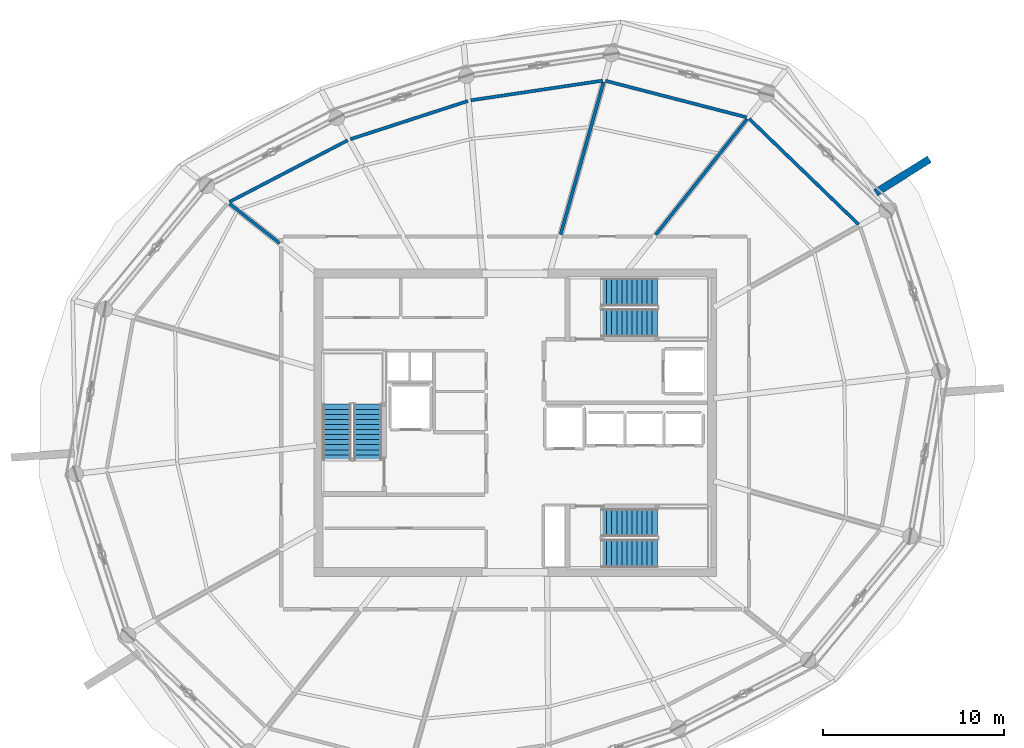
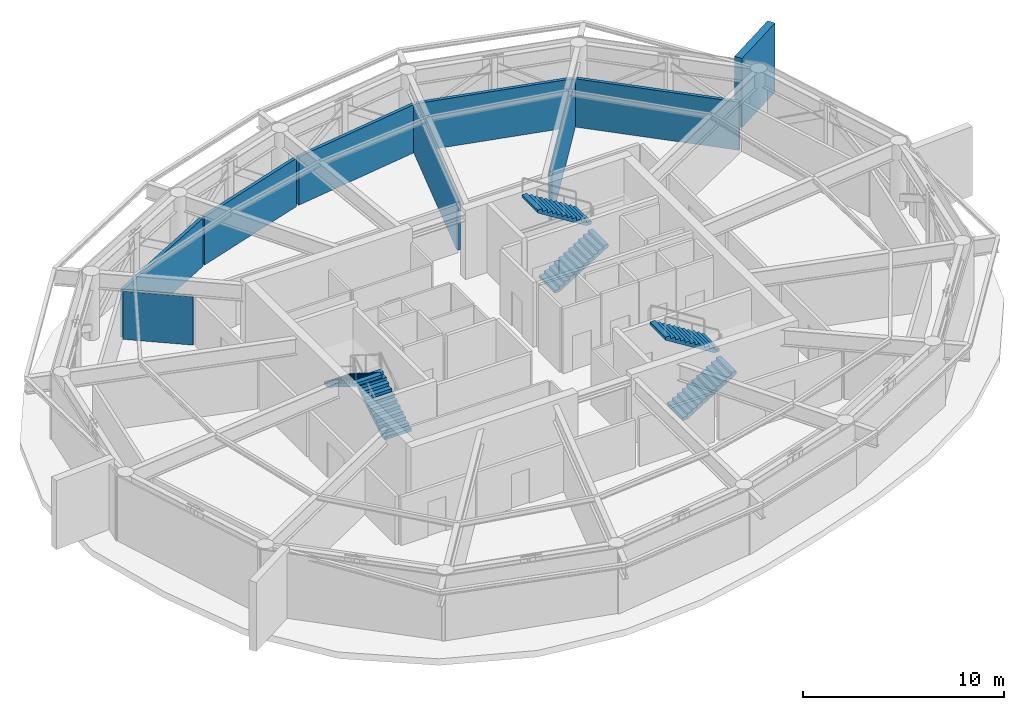
# One storey, part 13 of 14: 9 walls, 6 stair flights, 3 elements without a shape of their own.
"""IFC4 building model written with IfcOpenShell, lengths in metres."""

from ifc_helpers import new_model, si_unit, direction, frame, frame_2d, origin, place, context, subcontext, project, spatial, polyline, rectangle, outline, extrude, material, layer, layer_set, type_object, element, aggregate, save


model = new_model("IFC4")

# Units and contexts
model_context = context("Model", 3, precision=1e-05, world=origin(), true_north=direction((0.0, 1.0)))
body_context = subcontext(model_context, "Body", "Model", "MODEL_VIEW")
ifc_project = project(units=[si_unit("LENGTHUNIT", "METRE"), si_unit("AREAUNIT", "SQUARE_METRE"), si_unit("VOLUMEUNIT", "CUBIC_METRE"), si_unit("PLANEANGLEUNIT", "RADIAN"), si_unit("MASSUNIT", "GRAM", prefix="KILO")], contexts=[model_context])

# Site, building, storey
site_placement = place(None, origin())
site = spatial("IfcSite", under=ifc_project, at=site_placement, CompositionType="ELEMENT")
building_placement = place(site_placement, origin())
building = spatial("IfcBuilding", under=site, at=building_placement, Name="Kazma Halo Residences", CompositionType="ELEMENT")
storey_placement = place(building_placement, frame((0.0, 0.0, 343.10009765625)))
storey = spatial("IfcBuildingStorey", under=building, at=storey_placement, Name="L86", CompositionType="ELEMENT", Elevation=343.10009765625)

# Walls
ifc_material_1 = material(Name="Pale Concrete C60/75", Category="concrete")
ifc_layer_1 = layer(ifc_material_1, 0.419921875)
ifc_layer_set_1 = layer_set([ifc_layer_1], Name="Pale Concrete C60/75")
wall_type_1 = type_object("IfcWallType", Name="WL-BLADE-420", PredefinedType="SOLIDWALL", material=ifc_layer_set_1)
wall_1_placement = place(storey_placement, frame((68.3525390625, 54.7177734375, 0.0), z_axis=(0.0, 0.0, 1.0), x_axis=(0.848053161125, 0.529911158502, 0.0)))
element("IfcWall", 1, at=wall_1_placement, inside=storey, type_object=wall_type_1, Name="L86 pale concrete structural blade fin wall BW-01", PredefinedType="SOLIDWALL", context=body_context, shape_type="SweptSolid", body=[
    extrude(rectangle(XDim=3.5, YDim=0.419921875, at=frame_2d((1.75, 0.0))), origin(), (0.0, 0.0, 1.0), 4.199951171875),
])
ifc_material_2 = material(Name="Acoustic Twin-Stud Gypsum")
ifc_layer_2 = layer(ifc_material_2, 0.179931640625)
ifc_layer_set_2 = layer_set([ifc_layer_2], Name="Acoustic Twin-Stud Gypsum")
wall_type_2 = type_object("IfcWallType", Name="WL-DEM-180", PredefinedType="PARTITIONING", material=ifc_layer_set_2)
wall_2_placement = place(storey_placement, frame((67.41650390625, 52.961669921875, 0.0), z_axis=(0.0, 0.0, 1.0), x_axis=(-0.719358516059, 0.694638989241, 0.0)))
element("IfcWall", 2, at=wall_2_placement, inside=storey, type_object=wall_type_2, Name="L86 refuge acoustic perimeter wall 00", PredefinedType="PARTITIONING", context=body_context, shape_type="SweptSolid", body=[
    extrude(rectangle(XDim=8.424560546875, YDim=0.179931640625, at=frame_2d((4.21240234375, 0.0))), origin(), (0.0, 0.0, 1.0), 2.932861328125),
])
wall_3_placement = place(storey_placement, frame((61.221435546875, 58.889404296875, 0.0), z_axis=(0.0, 0.0, 1.0), x_axis=(-0.96812020229, 0.250486075298, 0.0)))
element("IfcWall", 3, at=wall_3_placement, inside=storey, type_object=wall_type_2, Name="L86 refuge acoustic perimeter wall 01", PredefinedType="PARTITIONING", context=body_context, shape_type="SweptSolid", body=[
    extrude(rectangle(XDim=8.0625, YDim=0.179931640625, at=frame_2d((4.03125, 0.0))), origin(), (0.0, 0.0, 1.0), 2.932861328125),
])
wall_4_placement = place(storey_placement, frame((53.259521484375, 60.9169921875, 0.0), z_axis=(0.0, 0.0, 1.0), x_axis=(-0.989035992024, -0.147674664315, 0.0)))
element("IfcWall", 4, at=wall_4_placement, inside=storey, type_object=wall_type_2, Name="L86 refuge acoustic perimeter wall 02", PredefinedType="PARTITIONING", context=body_context, shape_type="SweptSolid", body=[
    extrude(rectangle(XDim=7.3701171875, YDim=0.179931640625, at=frame_2d((3.68505859375, 0.0))), origin(), (0.0, 0.0, 1.0), 2.932861328125),
])
wall_5_placement = place(storey_placement, frame((45.815185546875, 59.7919921875, 0.0), z_axis=(0.0, 0.0, 1.0), x_axis=(-0.95105793387, -0.309012631495, 0.0)))
element("IfcWall", 5, at=wall_5_placement, inside=storey, type_object=wall_type_2, Name="L86 refuge acoustic perimeter wall 03", PredefinedType="PARTITIONING", context=body_context, shape_type="SweptSolid", body=[
    extrude(rectangle(XDim=6.84033203125, YDim=0.179931640625, at=frame_2d((3.420166015625, 0.0))), origin(), (0.0, 0.0, 1.0), 2.932861328125),
])
wall_6_placement = place(storey_placement, frame((39.16259765625, 57.61669921875, 0.0), z_axis=(0.0, 0.0, 1.0), x_axis=(-0.886951970108, -0.461861670548, 0.0)))
element("IfcWall", 6, at=wall_6_placement, inside=storey, type_object=wall_type_2, Name="L86 refuge acoustic perimeter wall 04", PredefinedType="PARTITIONING", context=body_context, shape_type="SweptSolid", body=[
    extrude(rectangle(XDim=7.369873046875, YDim=0.179931640625, at=frame_2d((3.68505859375, 0.0))), origin(), (0.0, 0.0, 1.0), 2.932861328125),
])
wall_7_placement = place(storey_placement, frame((50.934814453125, 52.406005859375, 0.0), z_axis=(0.0, 0.0, 1.0), x_axis=(0.271427049977, 0.962459015512, 0.0)))
element("IfcWall", 7, at=wall_7_placement, inside=storey, type_object=wall_type_2, Name="L86 radial partition wall 02", PredefinedType="PARTITIONING", context=body_context, shape_type="SweptSolid", body=[
    extrude(rectangle(XDim=8.75537109375, YDim=0.179931640625, at=frame_2d((4.377685546875, 0.0))), origin(), (0.0, 0.0, 1.0), 2.932861328125),
])
wall_8_placement = place(storey_placement, frame((35.41357421875, 51.92236328125, 0.0), z_axis=(0.0, 0.0, 1.0), x_axis=(-0.78533621982, 0.619069480622, 0.0)))
element("IfcWall", 8, at=wall_8_placement, inside=storey, type_object=wall_type_2, Name="L86 radial partition wall 05", PredefinedType="PARTITIONING", context=body_context, shape_type="SweptSolid", body=[
    extrude(rectangle(XDim=3.540283203125, YDim=0.179931640625, at=frame_2d((1.77001953125, 0.0))), origin(), (0.0, 0.0, 1.0), 2.932861328125),
])
wall_9_placement = place(storey_placement, frame((56.18798828125, 52.386474609375, 0.0), z_axis=(0.0, 0.0, 1.0), x_axis=(0.619086016157, 0.785323184809, 0.0)))
element("IfcWall", 9, at=wall_9_placement, inside=storey, type_object=wall_type_2, Name="L86 radial partition wall 01", PredefinedType="PARTITIONING", context=body_context, shape_type="SweptSolid", body=[
    extrude(rectangle(XDim=8.1552734375, YDim=0.179931640625, at=frame_2d((4.07763671875, 0.0))), origin(), (0.0, 0.0, 1.0), 2.932861328125),
])

# Stair, stair flights
ifc_material_3 = material(Name="Concrete C50/60", Category="concrete")
stair_type = type_object("IfcStairType", Name="STR-CRWN", PredefinedType="HALF_TURN_STAIR", material=ifc_material_3)
stair_1_placement = place(storey_placement, origin())
stair_1 = element("IfcStair", 10, at=stair_1_placement, inside=storey, type_object=stair_type, Name="L86 Core exit stair ST-01", PredefinedType="HALF_TURN_STAIR")
stair_flight_type = type_object("IfcStairFlightType", Name="STR-CRWN-FLT", PredefinedType="STRAIGHT", material=ifc_material_3)
stair_flight_1_placement = place(storey_placement, frame((40.27490234375, 39.949951171875, 0.0), z_axis=(0.0, 0.0, 1.0), x_axis=(0.0, 1.0, 0.0)))
stair_flight_1 = element("IfcStairFlight", 11, at=stair_flight_1_placement, type_object=stair_flight_type, Name="ST-01 flight 1", NumberOfRisers=12, NumberOfTreads=11, PredefinedType="STRAIGHT", RiserHeight=0.175, TreadLength=0.28, context=body_context, shape_type="SweptSolid", body=[
    extrude(outline(polyline([(0.0, 0.0), (0.0, 0.175048828125), (0.280029296875, 0.175048828125), (0.280029296875, 0.35009765625), (0.56005859375, 0.35009765625), (0.56005859375, 0.52490234375), (0.840087890625, 0.52490234375), (0.840087890625, 0.699951171875), (1.1201171875, 0.699951171875), (1.1201171875, 0.875), (1.39990234375, 0.875), (1.39990234375, 1.050048828125), (1.679931640625, 1.050048828125), (1.679931640625, 1.22509765625), (1.9599609375, 1.22509765625), (1.9599609375, 1.39990234375), (2.239990234375, 1.39990234375), (2.239990234375, 1.574951171875), (2.52001953125, 1.574951171875), (2.52001953125, 1.75), (2.800048828125, 1.75), (2.800048828125, 1.925048828125), (3.080078125, 1.925048828125), (3.080078125, 2.10009765625), (3.080078125, 1.748291015625), (0.28271484375, 0.0), (0.0, 0.0)])), frame((0.0, 0.77490234375, 0.0), z_axis=(0.0, -1.0, 0.0), x_axis=(1.0, 0.0, 0.0)), (0.0, 0.0, 1.0), 1.550048828125),
])
stair_flight_2_placement = place(storey_placement, frame((38.574951171875, 43.030029296875, 2.099853515625), z_axis=(0.0, 0.0, 1.0), x_axis=(0.0, -1.0, 0.0)))
stair_flight_2 = element("IfcStairFlight", 12, at=stair_flight_2_placement, type_object=stair_flight_type, Name="ST-01 flight 2", NumberOfRisers=12, NumberOfTreads=11, PredefinedType="STRAIGHT", RiserHeight=0.175, TreadLength=0.28, context=body_context, shape_type="SweptSolid", body=[
    extrude(outline(polyline([(0.0, 0.0), (0.0, 0.175048828125), (0.280029296875, 0.175048828125), (0.280029296875, 0.35009765625), (0.56005859375, 0.35009765625), (0.56005859375, 0.52490234375), (0.840087890625, 0.52490234375), (0.840087890625, 0.699951171875), (1.1201171875, 0.699951171875), (1.1201171875, 0.875), (1.39990234375, 0.875), (1.39990234375, 1.050048828125), (1.679931640625, 1.050048828125), (1.679931640625, 1.22509765625), (1.9599609375, 1.22509765625), (1.9599609375, 1.39990234375), (2.239990234375, 1.39990234375), (2.239990234375, 1.574951171875), (2.52001953125, 1.574951171875), (2.52001953125, 1.75), (2.800048828125, 1.75), (2.800048828125, 1.925048828125), (3.080078125, 1.925048828125), (3.080078125, 2.10009765625), (3.080078125, 1.748291015625), (0.28271484375, 0.0), (0.0, 0.0)])), frame((0.0, 0.77490234375, 0.0), z_axis=(0.0, -1.0, 0.0), x_axis=(1.0, 0.0, 0.0)), (0.0, 0.0, 1.0), 1.550048828125),
])
aggregate(stair_1, [stair_flight_1, stair_flight_2])

stair_2_placement = place(storey_placement, origin())
stair_2 = element("IfcStair", 13, at=stair_2_placement, inside=storey, type_object=stair_type, Name="L86 Core exit stair ST-02", PredefinedType="HALF_TURN_STAIR")
stair_flight_3_placement = place(storey_placement, frame((53.199951171875, 47.52490234375, 0.0), z_axis=(0.0, 0.0, 1.0), x_axis=(1.0, 0.0, 0.0)))
stair_flight_3 = element("IfcStairFlight", 14, at=stair_flight_3_placement, type_object=stair_flight_type, Name="ST-02 flight 1", NumberOfRisers=12, NumberOfTreads=11, PredefinedType="STRAIGHT", RiserHeight=0.175, TreadLength=0.28, context=body_context, shape_type="SweptSolid", body=[
    extrude(outline(polyline([(0.0, 0.0), (0.0, 0.175048828125), (0.280029296875, 0.175048828125), (0.280029296875, 0.35009765625), (0.56005859375, 0.35009765625), (0.56005859375, 0.52490234375), (0.840087890625, 0.52490234375), (0.840087890625, 0.699951171875), (1.1201171875, 0.699951171875), (1.1201171875, 0.875), (1.39990234375, 0.875), (1.39990234375, 1.050048828125), (1.679931640625, 1.050048828125), (1.679931640625, 1.22509765625), (1.9599609375, 1.22509765625), (1.9599609375, 1.39990234375), (2.239990234375, 1.39990234375), (2.239990234375, 1.574951171875), (2.52001953125, 1.574951171875), (2.52001953125, 1.75), (2.800048828125, 1.75), (2.800048828125, 1.925048828125), (3.080078125, 1.925048828125), (3.080078125, 2.10009765625), (3.080078125, 1.748291015625), (0.28271484375, 0.0), (0.0, 0.0)])), frame((0.0, 0.77490234375, 0.0), z_axis=(0.0, -1.0, 0.0), x_axis=(1.0, 0.0, 0.0)), (0.0, 0.0, 1.0), 1.550048828125),
])
stair_flight_4_placement = place(storey_placement, frame((56.280029296875, 49.22509765625, 2.099853515625), z_axis=(0.0, 0.0, 1.0), x_axis=(-1.0, 0.0, 0.0)))
stair_flight_4 = element("IfcStairFlight", 15, at=stair_flight_4_placement, type_object=stair_flight_type, Name="ST-02 flight 2", NumberOfRisers=12, NumberOfTreads=11, PredefinedType="STRAIGHT", RiserHeight=0.175, TreadLength=0.28, context=body_context, shape_type="SweptSolid", body=[
    extrude(outline(polyline([(0.0, 0.0), (0.0, 0.175048828125), (0.280029296875, 0.175048828125), (0.280029296875, 0.35009765625), (0.56005859375, 0.35009765625), (0.56005859375, 0.52490234375), (0.840087890625, 0.52490234375), (0.840087890625, 0.699951171875), (1.1201171875, 0.699951171875), (1.1201171875, 0.875), (1.39990234375, 0.875), (1.39990234375, 1.050048828125), (1.679931640625, 1.050048828125), (1.679931640625, 1.22509765625), (1.9599609375, 1.22509765625), (1.9599609375, 1.39990234375), (2.239990234375, 1.39990234375), (2.239990234375, 1.574951171875), (2.52001953125, 1.574951171875), (2.52001953125, 1.75), (2.800048828125, 1.75), (2.800048828125, 1.925048828125), (3.080078125, 1.925048828125), (3.080078125, 2.10009765625), (3.080078125, 1.748291015625), (0.28271484375, 0.0), (0.0, 0.0)])), frame((0.0, 0.77490234375, 0.0), z_axis=(0.0, -1.0, 0.0), x_axis=(1.0, 0.0, 0.0)), (0.0, 0.0, 1.0), 1.550048828125),
])
aggregate(stair_2, [stair_flight_3, stair_flight_4])

stair_3_placement = place(storey_placement, origin())
stair_3 = element("IfcStair", 16, at=stair_3_placement, inside=storey, type_object=stair_type, Name="L86 Core exit stair ST-03", PredefinedType="HALF_TURN_STAIR")
stair_flight_5_placement = place(storey_placement, frame((53.199951171875, 34.77490234375, 0.0), z_axis=(0.0, 0.0, 1.0), x_axis=(1.0, 0.0, 0.0)))
stair_flight_5 = element("IfcStairFlight", 17, at=stair_flight_5_placement, type_object=stair_flight_type, Name="ST-03 flight 1", NumberOfRisers=12, NumberOfTreads=11, PredefinedType="STRAIGHT", RiserHeight=0.175, TreadLength=0.28, context=body_context, shape_type="SweptSolid", body=[
    extrude(outline(polyline([(0.0, 0.0), (0.0, 0.175048828125), (0.280029296875, 0.175048828125), (0.280029296875, 0.35009765625), (0.56005859375, 0.35009765625), (0.56005859375, 0.52490234375), (0.840087890625, 0.52490234375), (0.840087890625, 0.699951171875), (1.1201171875, 0.699951171875), (1.1201171875, 0.875), (1.39990234375, 0.875), (1.39990234375, 1.050048828125), (1.679931640625, 1.050048828125), (1.679931640625, 1.22509765625), (1.9599609375, 1.22509765625), (1.9599609375, 1.39990234375), (2.239990234375, 1.39990234375), (2.239990234375, 1.574951171875), (2.52001953125, 1.574951171875), (2.52001953125, 1.75), (2.800048828125, 1.75), (2.800048828125, 1.925048828125), (3.080078125, 1.925048828125), (3.080078125, 2.10009765625), (3.080078125, 1.748291015625), (0.28271484375, 0.0), (0.0, 0.0)])), frame((0.0, 0.77490234375, 0.0), z_axis=(0.0, -1.0, 0.0), x_axis=(1.0, 0.0, 0.0)), (0.0, 0.0, 1.0), 1.550048828125),
])
stair_flight_6_placement = place(storey_placement, frame((56.280029296875, 36.47509765625, 2.099853515625), z_axis=(0.0, 0.0, 1.0), x_axis=(-1.0, 0.0, 0.0)))
stair_flight_6 = element("IfcStairFlight", 18, at=stair_flight_6_placement, type_object=stair_flight_type, Name="ST-03 flight 2", NumberOfRisers=12, NumberOfTreads=11, PredefinedType="STRAIGHT", RiserHeight=0.175, TreadLength=0.28, context=body_context, shape_type="SweptSolid", body=[
    extrude(outline(polyline([(0.0, 0.0), (0.0, 0.175048828125), (0.280029296875, 0.175048828125), (0.280029296875, 0.35009765625), (0.56005859375, 0.35009765625), (0.56005859375, 0.52490234375), (0.840087890625, 0.52490234375), (0.840087890625, 0.699951171875), (1.1201171875, 0.699951171875), (1.1201171875, 0.875), (1.39990234375, 0.875), (1.39990234375, 1.050048828125), (1.679931640625, 1.050048828125), (1.679931640625, 1.22509765625), (1.9599609375, 1.22509765625), (1.9599609375, 1.39990234375), (2.239990234375, 1.39990234375), (2.239990234375, 1.574951171875), (2.52001953125, 1.574951171875), (2.52001953125, 1.75), (2.800048828125, 1.75), (2.800048828125, 1.925048828125), (3.080078125, 1.925048828125), (3.080078125, 2.10009765625), (3.080078125, 1.748291015625), (0.28271484375, 0.0), (0.0, 0.0)])), frame((0.0, 0.77490234375, 0.0), z_axis=(0.0, -1.0, 0.0), x_axis=(1.0, 0.0, 0.0)), (0.0, 0.0, 1.0), 1.550048828125),
])
aggregate(stair_3, [stair_flight_5, stair_flight_6])

save(model, "model.ifc")
